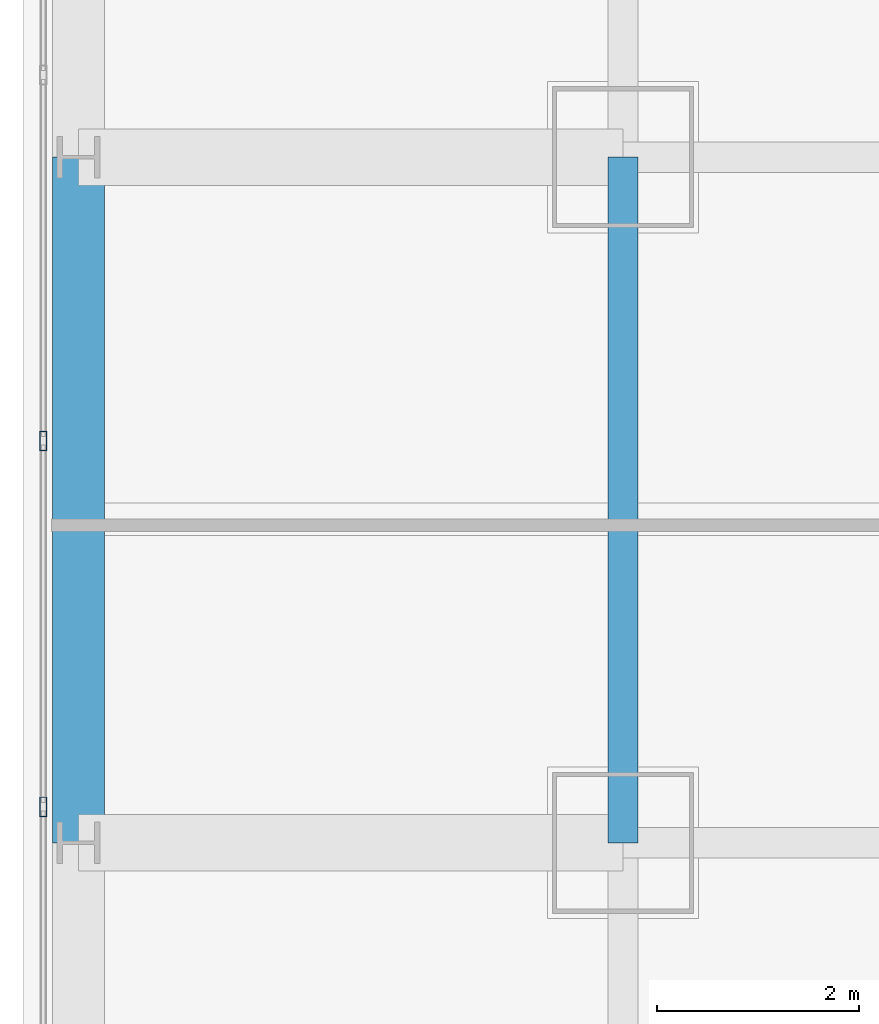
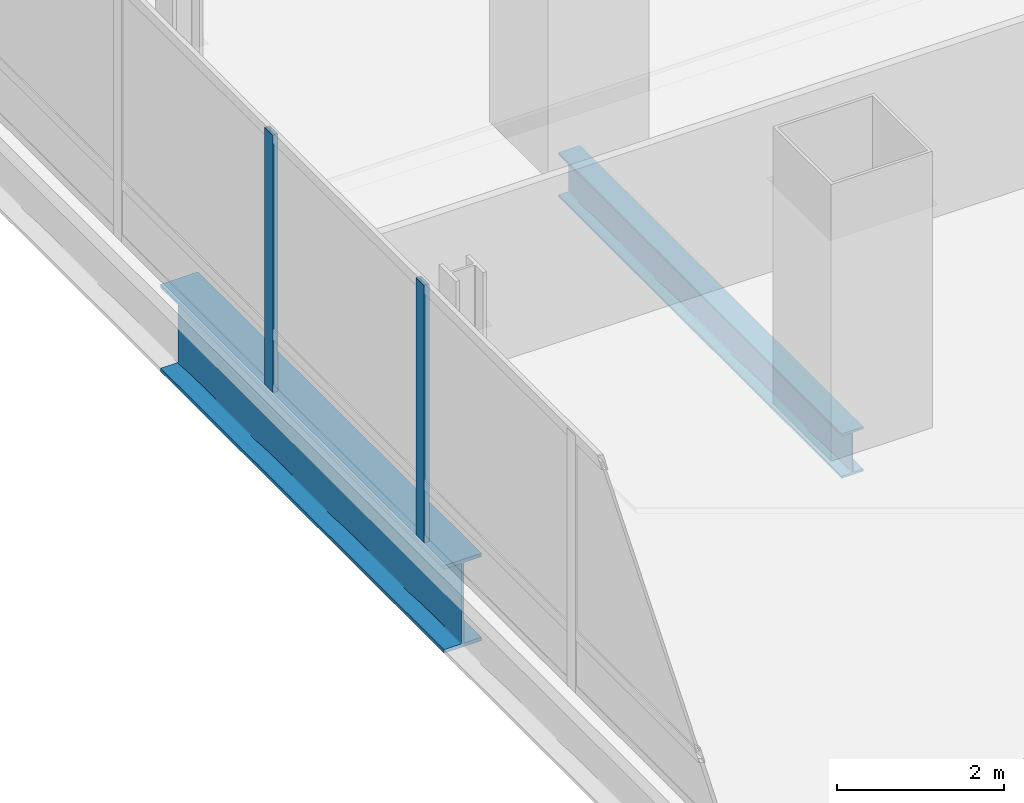
# One storey, part 9 of 47: 2 beams, 2 members, 1 element without a shape of its own.
"""IFC4 building model written with IfcOpenShell, lengths in metres."""

import ifcopenshell
import ifcopenshell.guid

model = None  # the IFC model being written
_history = None  # IfcOwnerHistory: only IFC2X3 demands one
_inside = {}  # id of a spatial element -> (the spatial element, [elements in it])
_under = {}  # id of a project, library or spatial element -> (it, [spatial elements below it])
_declared = {}  # id of a project -> (the project, [libraries it declares])
_typed = {}  # id of a type object -> (the type object, [elements of that type])
_made_of = {}  # id of a material, layer set ... -> (it, [elements and type objects made of it])


def new_model(schema):
    """Start an empty IFC model of exactly this schema.

    Asked for "IFC4X3", IfcOpenShell would pick the latest addendum, in which some entities
    have other attributes; the version numbers below select the first issue.
    IFC2X3 requires an IfcOwnerHistory on every rooted entity: one is made here for all.
    """
    global model, _history
    if schema == "IFC4X3":
        model = ifcopenshell.file(schema_version=(4, 3, 0, 0))
    else:
        model = ifcopenshell.file(schema=schema)
    _inside.clear()
    _under.clear()
    _declared.clear()
    _typed.clear()
    _made_of.clear()
    _history = None
    if model.schema == "IFC2X3":
        org = make("IfcOrganization", Name="unknown")
        user = make(
            "IfcPersonAndOrganization",
            ThePerson=make("IfcPerson", FamilyName="unknown"),
            TheOrganization=org,
        )
        app = make(
            "IfcApplication",
            ApplicationDeveloper=org,
            Version="unknown",
            ApplicationFullName="unknown",
            ApplicationIdentifier="unknown",
        )
        _history = make(
            "IfcOwnerHistory",
            OwningUser=user,
            OwningApplication=app,
            ChangeAction="ADDED",
            CreationDate=0,
        )
    return model


def make(cls, **values):
    """One entity of the class cls with the attributes given. An attribute that is None is left unset."""
    return model.create_entity(
        cls, **{name: value for name, value in values.items() if value is not None}
    )


def rooted(cls, **values):
    """An entity with a GlobalId (a new one), such as an element, a storey or a relation."""
    return make(cls, GlobalId=ifcopenshell.guid.new(), OwnerHistory=_history, **values)


def si_unit(unit_type, name, prefix=None):
    """IfcSIUnit, for example si_unit("LENGTHUNIT", "METRE", prefix="MILLI")."""
    return make("IfcSIUnit", UnitType=unit_type, Prefix=prefix, Name=name)


def assignment(units):
    """IfcUnitAssignment: the units of a project."""
    return None if units is None else make("IfcUnitAssignment", Units=units)


def point(xyz):
    """IfcCartesianPoint."""
    return None if xyz is None else make("IfcCartesianPoint", Coordinates=xyz)


def direction(xyz):
    """IfcDirection."""
    return None if xyz is None else make("IfcDirection", DirectionRatios=xyz)


def frame(location, z_axis=None, x_axis=None):
    """IfcAxis2Placement3D, a coordinate frame: its origin and axes. An axis left out is left unset."""
    return make(
        "IfcAxis2Placement3D",
        Location=point(location),
        Axis=direction(z_axis),
        RefDirection=direction(x_axis),
    )


def frame_2d(location, x_axis=None):
    """IfcAxis2Placement2D, a coordinate frame in the plane: its origin and x axis."""
    return make(
        "IfcAxis2Placement2D", Location=point(location), RefDirection=direction(x_axis)
    )


def origin():
    """The frame at (0, 0, 0) with its axes left unset."""
    return frame((0.0, 0.0, 0.0))


def origin_2d():
    """The frame at (0, 0) in the plane with its x axis left unset."""
    return frame_2d((0.0, 0.0))


def place(relative_to, where):
    """IfcLocalPlacement: puts the frame where relative to a parent placement (None: the world)."""
    return make(
        "IfcLocalPlacement", PlacementRelTo=relative_to, RelativePlacement=where
    )


def context(
    kind, dimensions, precision=None, world=None, true_north=None, identifier=None
):
    """IfcGeometricRepresentationContext, for example the 3D "Model" context."""
    return make(
        "IfcGeometricRepresentationContext",
        ContextIdentifier=identifier,
        ContextType=kind,
        CoordinateSpaceDimension=dimensions,
        Precision=precision,
        WorldCoordinateSystem=world,
        TrueNorth=true_north,
    )


def subcontext(parent, identifier, kind, view, scale=None):
    """IfcGeometricRepresentationSubContext, for example "Body" below "Model"."""
    return make(
        "IfcGeometricRepresentationSubContext",
        ContextIdentifier=identifier,
        ContextType=kind,
        ParentContext=parent,
        TargetScale=scale,
        TargetView=view,
    )


def project(units=None, contexts=None):
    """IfcProject with its units and contexts."""
    return rooted(
        "IfcProject",
        Name="project",
        RepresentationContexts=contexts,
        UnitsInContext=assignment(units),
    )


def spatial(cls, under=None, at=None, **own):
    """A site, building, storey or space (cls), placed at a placement, below another one or the project."""
    s = rooted(cls, ObjectPlacement=at, **own)
    if under is not None:
        _under.setdefault(under.id(), (under, []))[1].append(s)
    return s


def profile(cls, at=None, kind="AREA", **sizes):
    """A parametric profile (cls). Its sizes go by their IFC names, for example OverallWidth=200.0."""
    return make(cls, ProfileType=kind, Position=at, **sizes)


def hollow_rectangle(**sizes):
    """IfcRectangleHollowProfileDef."""
    return profile("IfcRectangleHollowProfileDef", **sizes)


def i_section(**sizes):
    """IfcIShapeProfileDef."""
    return profile("IfcIShapeProfileDef", **sizes)


def extrude(swept, where, along, depth):
    """IfcExtrudedAreaSolid: the profile swept, set in the frame where, extruded along a direction by depth."""
    return make(
        "IfcExtrudedAreaSolid",
        SweptArea=swept,
        Position=where,
        ExtrudedDirection=direction(along),
        Depth=depth,
    )


def shape(context_of_items, identifier, shape_type, items):
    """IfcShapeRepresentation: the items that make up one representation, for example the "Body"."""
    return make(
        "IfcShapeRepresentation",
        ContextOfItems=context_of_items,
        RepresentationIdentifier=identifier,
        RepresentationType=shape_type,
        Items=items,
    )


def material(Name=None, Category=None):
    """IfcMaterial."""
    return make("IfcMaterial", Name=Name, Category=Category)


def material_profile(
    of_material, cross_section, Name=None, Category=None, Priority=None
):
    """IfcMaterialProfile: a cross section and its material."""
    return make(
        "IfcMaterialProfile",
        Name=Name,
        Material=of_material,
        Profile=cross_section,
        Priority=Priority,
        Category=Category,
    )


def profile_set(profiles, Name=None, composite=None):
    """IfcMaterialProfileSet."""
    return make(
        "IfcMaterialProfileSet",
        Name=Name,
        MaterialProfiles=profiles,
        CompositeProfile=composite,
    )


def made_of(thing, what):
    """Note that an element or type object is made of a material, layer set ...; save() writes the relation."""
    if what is not None:
        _made_of.setdefault(what.id(), (what, []))[1].append(thing)
    return thing


def type_object(cls, material=None, **own):
    """A type object (cls), such as IfcWallType, which elements share."""
    return made_of(rooted(cls, **own), material)


def element(
    cls,
    number,
    at=None,
    inside=None,
    cuts=None,
    type_object=None,
    material=None,
    context=None,
    identifier="Body",
    shape_type=None,
    held_by="IfcProductDefinitionShape",
    body=None,
    shapes=None,
    **own,
):
    """One element of the class cls, such as IfcWall. Its Tag is "e" and its number.

    at: its placement. inside: the storey or other place that contains it. cuts: it is an
    opening in that element (IfcRelVoidsElement). A single representation is given by context,
    identifier, shape_type and body (its items); several are given by shapes. held_by: the class
    of the entity that holds the representations. save() writes the other relations.
    """
    e = rooted(cls, Tag="e%d" % number, ObjectPlacement=at, **own)
    if body is not None:
        shapes = [shape(context, identifier, shape_type, body)]
    if shapes is not None:
        e.Representation = make(held_by, Representations=shapes)
    if inside is not None:
        _inside.setdefault(inside.id(), (inside, []))[1].append(e)
    if cuts is not None:
        rooted(
            "IfcRelVoidsElement", RelatingBuildingElement=cuts, RelatedOpeningElement=e
        )
    if type_object is not None:
        _typed.setdefault(type_object.id(), (type_object, []))[1].append(e)
    return made_of(e, material)


def aggregate(whole, parts):
    """IfcRelAggregates: a whole, such as a stair, and the parts it consists of."""
    return rooted("IfcRelAggregates", RelatingObject=whole, RelatedObjects=parts)


def save(model, path):
    """Write the relations noted so far, then the file.

    IfcRelAggregates (storeys below a building ...), IfcRelContainedInSpatialStructure (elements
    in a storey), IfcRelDefinesByType, IfcRelAssociatesMaterial and IfcRelDeclares: one each for
    every whole, place, type object, material and project.
    """
    for whole, parts in _under.values():
        aggregate(whole, parts)
    for where, things in _inside.values():
        rooted(
            "IfcRelContainedInSpatialStructure",
            RelatedElements=things,
            RelatingStructure=where,
        )
    for kind, things in _typed.values():
        rooted("IfcRelDefinesByType", RelatedObjects=things, RelatingType=kind)
    for what, things in _made_of.values():
        rooted("IfcRelAssociatesMaterial", RelatedObjects=things, RelatingMaterial=what)
    for by, libraries in _declared.values():
        rooted("IfcRelDeclares", RelatingContext=by, RelatedDefinitions=libraries)
    model.write(path)


model = new_model("IFC4")

# Units and contexts
model_context = context("Model", 3, precision=1e-05, world=origin(), true_north=direction((0.0, 1.0)))
body_context = subcontext(model_context, "Body", "Model", "MODEL_VIEW")
ifc_project = project(units=[si_unit("LENGTHUNIT", "METRE"), si_unit("AREAUNIT", "SQUARE_METRE"), si_unit("VOLUMEUNIT", "CUBIC_METRE"), si_unit("PLANEANGLEUNIT", "RADIAN"), si_unit("MASSUNIT", "GRAM", prefix="KILO")], contexts=[model_context])

# Site, building, storey
site_placement = place(None, origin())
site = spatial("IfcSite", under=ifc_project, at=site_placement, CompositionType="ELEMENT")
building_placement = place(site_placement, origin())
building = spatial("IfcBuilding", under=site, at=building_placement, Name="Punatoya Terracotta Tower", CompositionType="ELEMENT")
storey_placement = place(building_placement, frame((0.0, 0.0, 168.14990234375)))
storey = spatial("IfcBuildingStorey", under=building, at=storey_placement, Name="L39", CompositionType="ELEMENT", Elevation=168.14990234375)

# Beams
ifc_material_1 = material(Name="Steel S355", Category="steel")
ifc_material_profile_1 = material_profile(ifc_material_1, i_section(OverallWidth=0.300048828125, OverallDepth=0.64990234375, WebThickness=0.01611328125, FlangeThickness=0.031005859375, FilletRadius=0.01806640625, at=origin_2d()))
ifc_profile_set_1 = profile_set([ifc_material_profile_1], Name="Steel S355")
beam_type_1 = type_object("IfcBeamType", Name="BM-PRI-650", PredefinedType="BEAM", material=ifc_profile_set_1)
beam_1_placement = place(storey_placement, frame((-19.10009765625, -3.39990234375, -0.544921875), z_axis=(0.0, 1.0, 0.0), x_axis=(-1.0, 0.0, 0.0)))
element("IfcBeam", 1, at=beam_1_placement, inside=storey, type_object=beam_type_1, Name="BM-L39-RG-W2", PredefinedType="BEAM", context=body_context, shape_type="SweptSolid", body=[
    extrude(i_section(OverallWidth=0.300048828125, OverallDepth=0.64990234375, WebThickness=0.01611328125, FlangeThickness=0.031005859375, FilletRadius=0.01806640625, at=origin_2d()), origin(), (0.0, 0.0, 1.0), 6.7998046875),
])
ifc_material_2 = material(Name="Steel S460", Category="steel")
ifc_material_profile_2 = material_profile(ifc_material_2, i_section(OverallWidth=0.52001953125, OverallDepth=1.280029296875, WebThickness=0.031982421875, FlangeThickness=0.050048828125, FilletRadius=0.01806640625, at=origin_2d()))
ifc_profile_set_2 = profile_set([ifc_material_profile_2], Name="Steel S460")
beam_type_2 = type_object("IfcBeamType", Name="BM-TG-NCK", PredefinedType="BEAM", material=ifc_profile_set_2)
beam_2_placement = place(storey_placement, frame((-24.5, -3.39990234375, -0.85986328125), z_axis=(0.0, 1.0, 0.0), x_axis=(-1.0, 0.0, 0.0)))
element("IfcBeam", 2, at=beam_2_placement, inside=storey, type_object=beam_type_2, Name="BM-L39-PER-W2", PredefinedType="BEAM", context=body_context, shape_type="SweptSolid", body=[
    extrude(i_section(OverallWidth=0.52001953125, OverallDepth=1.280029296875, WebThickness=0.031982421875, FlangeThickness=0.050048828125, FilletRadius=0.01806640625, at=origin_2d()), origin(), (0.0, 0.0, 1.0), 6.7998046875),
])

# Curtain wall, members
ifc_material_3 = material(Name="Aluminium 6063-T6 + Double Low-E Glass", Category="aluminium")
curtain_wall_type = type_object("IfcCurtainWallType", Name="CW-M2", PredefinedType="NOTDEFINED", material=ifc_material_3)
curtain_wall_placement = place(storey_placement, origin())
curtain_wall = element("IfcCurtainWall", 3, at=curtain_wall_placement, inside=storey, type_object=curtain_wall_type, Name="L39 Curtain Wall CW-L39-W13-1", PredefinedType="NOTDEFINED")
ifc_material_4 = material(Name="Aluminium 6063-T6", Category="aluminium")
ifc_material_profile_3 = material_profile(ifc_material_4, hollow_rectangle(XDim=0.072021484375, YDim=0.195068359375, WallThickness=0.00439453125, at=origin_2d()))
ifc_profile_set_3 = profile_set([ifc_material_profile_3], Name="Aluminium 6063-T6")
member_type = type_object("IfcMemberType", Name="CW-MUL-M2", PredefinedType="MULLION", material=ifc_profile_set_3)
member_1_placement = place(storey_placement, frame((-24.85009765625, 0.585693359375, 0.0), z_axis=(0.0, 0.0, 1.0), x_axis=(1.0, 0.0, 0.0)))
member_1 = element("IfcMember", 4, at=member_1_placement, type_object=member_type, Name="CW-L39-W13-1 Mullion 04", PredefinedType="MULLION", context=body_context, shape_type="SweptSolid", body=[
    extrude(hollow_rectangle(XDim=0.072021484375, YDim=0.195068359375, WallThickness=0.00439453125, at=origin_2d()), origin(), (0.0, 0.0, 1.0), 3.77001953125),
])
member_2_placement = place(storey_placement, frame((-24.85009765625, -3.04296875, 0.0), z_axis=(0.0, 0.0, 1.0), x_axis=(1.0, 0.0, 0.0)))
member_2 = element("IfcMember", 5, at=member_2_placement, type_object=member_type, Name="CW-L39-W13-1 Mullion 05", PredefinedType="MULLION", context=body_context, shape_type="SweptSolid", body=[
    extrude(hollow_rectangle(XDim=0.072021484375, YDim=0.195068359375, WallThickness=0.00439453125, at=origin_2d()), origin(), (0.0, 0.0, 1.0), 3.77001953125),
])
aggregate(curtain_wall, [member_1, member_2])

save(model, "model.ifc")
